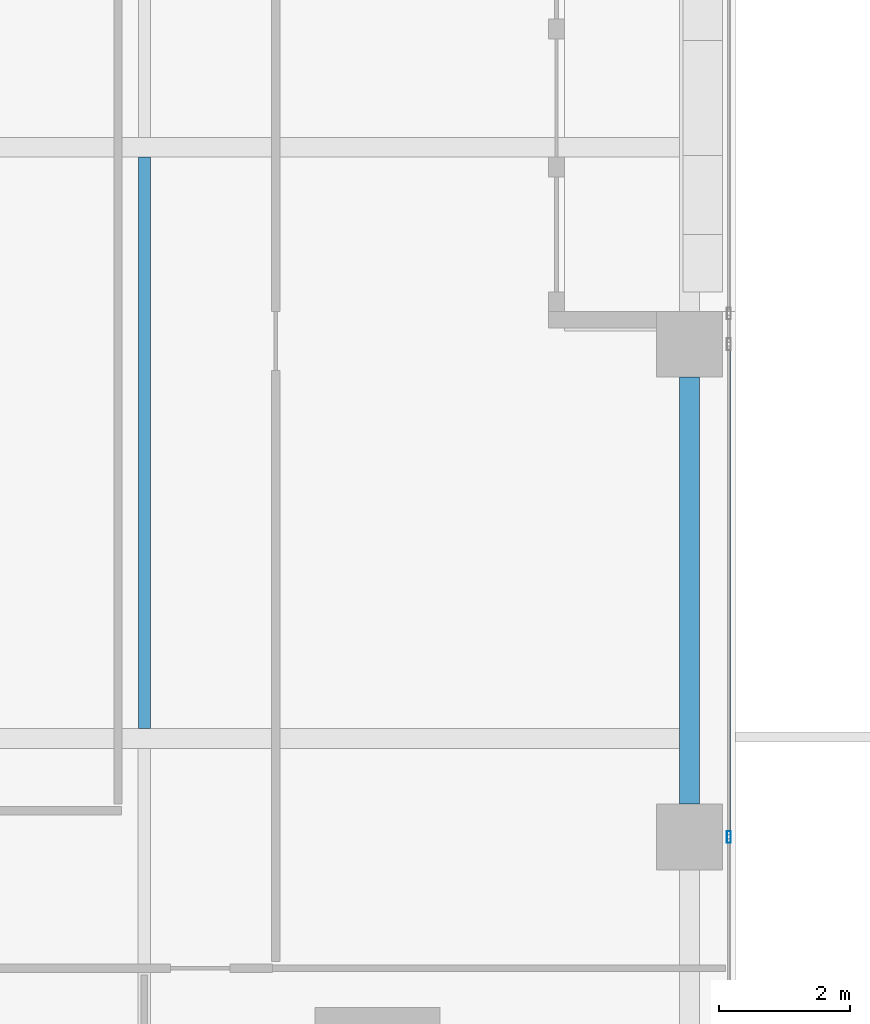
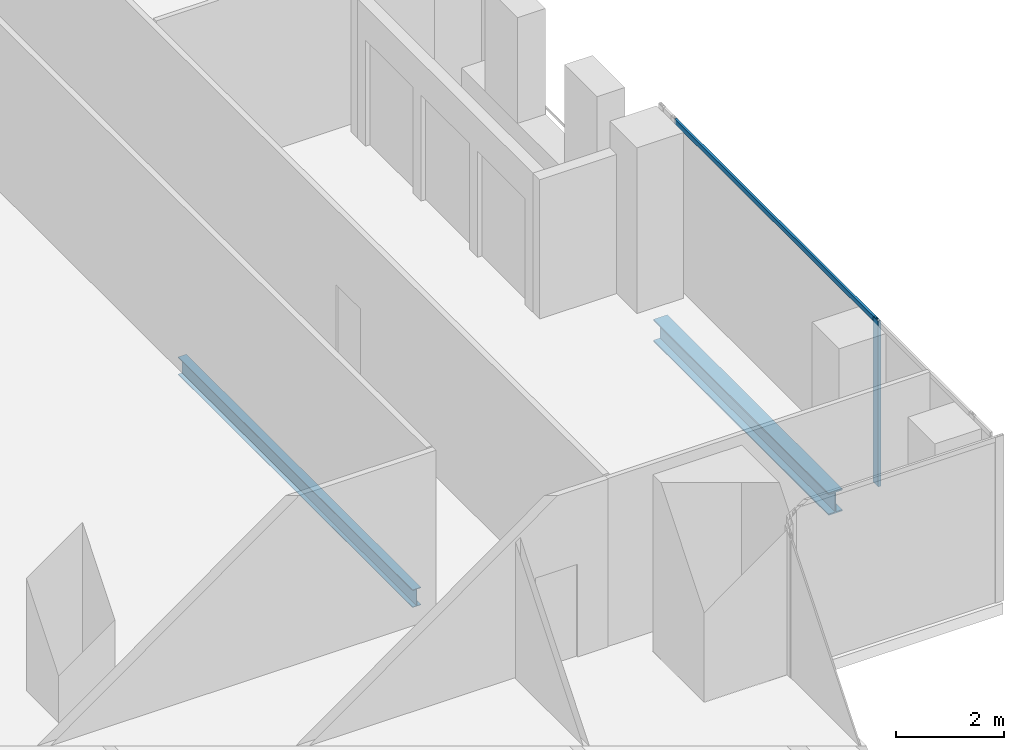
# One storey, part 12 of 40: 2 beams, 2 members, 1 element without a shape of its own.
"""IFC4 building model written with IfcOpenShell, lengths in metres."""

from ifc_helpers import new_model, si_unit, direction, frame, origin, origin_2d, place, context, subcontext, project, spatial, hollow_rectangle, i_section, extrude, source, transform, mapped, material, material_profile, profile_set, type_object, element, aggregate, save


model = new_model("IFC4")

# Units and contexts
model_context = context("Model", 3, precision=1e-05, world=origin(), true_north=direction((0.0, 1.0)))
body_context = subcontext(model_context, "Body", "Model", "MODEL_VIEW")
ifc_project = project(units=[si_unit("LENGTHUNIT", "METRE"), si_unit("AREAUNIT", "SQUARE_METRE"), si_unit("VOLUMEUNIT", "CUBIC_METRE"), si_unit("PLANEANGLEUNIT", "RADIAN"), si_unit("MASSUNIT", "GRAM", prefix="KILO")], contexts=[model_context])

# Site, building, storey
site_placement = place(None, origin())
site = spatial("IfcSite", under=ifc_project, at=site_placement, CompositionType="ELEMENT")
building_placement = place(site_placement, origin())
building = spatial("IfcBuilding", under=site, at=building_placement, Name="Khomas Fold Tower", CompositionType="ELEMENT")
storey_placement = place(building_placement, frame((0.0, 0.0, 204.699951171875)))
storey = spatial("IfcBuildingStorey", under=building, at=storey_placement, Name="L45", CompositionType="ELEMENT", Elevation=204.699951171875)

# Beams
ifc_material_1 = material(Name="Steel S355", Category="steel")
ifc_material_profile_1 = material_profile(ifc_material_1, i_section(OverallWidth=0.179931640625, OverallDepth=0.39990234375, WebThickness=0.008544921875, FlangeThickness=0.013427734375, at=origin_2d()), Name="IPE 400")
ifc_profile_set_1 = profile_set([ifc_material_profile_1], Name="Steel S355")
beam_type_1 = type_object("IfcBeamType", Name="IPE 400 beam JB3", PredefinedType="BEAM", material=ifc_profile_set_1)
shared_shape_1 = source(origin(), body_context, "Body", "SweptSolid", [
    extrude(i_section(OverallWidth=0.179931640625, OverallDepth=0.39990234375, WebThickness=0.008544921875, FlangeThickness=0.013427734375, at=origin_2d()), origin(), (0.0, 0.0, 1.0), 8.7001953125),
])
beam_1_placement = place(storey_placement, frame((42.0, 13.64990234375, -0.449951171875), z_axis=(0.0, 1.0, 0.0), x_axis=(-1.0, 0.0, 0.0)))
element("IfcBeam", 1, at=beam_1_placement, inside=storey, type_object=beam_type_1, Name="JB3", PredefinedType="BEAM", context=body_context, shape_type="MappedRepresentation", body=[
    mapped(shared_shape_1, transform((0.0, 0.0, 0.0))),
])
ifc_material_2 = material(Name="Steel S355", Category="steel")
ifc_material_profile_2 = material_profile(ifc_material_2, i_section(OverallWidth=0.300048828125, OverallDepth=0.5, WebThickness=0.014404296875, FlangeThickness=0.028076171875, at=origin_2d()), Name="HE 500 B")
ifc_profile_set_2 = profile_set([ifc_material_profile_2], Name="Steel S355")
beam_type_2 = type_object("IfcBeamType", Name="HE 500 B spandrel SB3", PredefinedType="SPANDREL", material=ifc_profile_set_2)
shared_shape_2 = source(origin(), body_context, "Body", "SweptSolid", [
    extrude(i_section(OverallWidth=0.300048828125, OverallDepth=0.5, WebThickness=0.014404296875, FlangeThickness=0.028076171875, at=origin_2d()), origin(), (0.0, 0.0, 1.0), 6.5),
])
beam_2_placement = place(storey_placement, frame((50.300048828125, 12.5, -0.5), z_axis=(0.0, 1.0, 0.0), x_axis=(-1.0, 0.0, 0.0)))
element("IfcBeam", 2, at=beam_2_placement, inside=storey, type_object=beam_type_2, Name="SB3", PredefinedType="SPANDREL", context=body_context, shape_type="MappedRepresentation", body=[
    mapped(shared_shape_2, transform((0.0, 0.0, 0.0))),
])

# Curtain wall, members
ifc_material_3 = material(Name="Aluminium framed double glazing", Category="aluminium")
curtain_wall_type = type_object("IfcCurtainWallType", Name="SK-Unitised clear-glass wall, office floors CW2", PredefinedType="NOTDEFINED", material=ifc_material_3)
curtain_wall_placement = place(storey_placement, origin())
curtain_wall = element("IfcCurtainWall", 3, at=curtain_wall_placement, inside=storey, type_object=curtain_wall_type, Name="CW2 run L45 03-0", PredefinedType="NOTDEFINED")
ifc_material_4 = material(Name="Aluminium", Category="aluminium")
ifc_material_profile_3 = material_profile(ifc_material_4, hollow_rectangle(XDim=0.06005859375, YDim=0.179931640625, WallThickness=0.00390625, at=origin_2d()), Name="SK-Unitised clear-glass wall, office floors mullion CW2-M")
ifc_profile_set_3 = profile_set([ifc_material_profile_3], Name="Aluminium")
member_type_1 = type_object("IfcMemberType", Name="SK-Unitised clear-glass wall, office floors mullion CW2-M", PredefinedType="MULLION", material=ifc_profile_set_3)
shared_shape_3 = source(origin(), body_context, "Body", "SweptSolid", [
    extrude(hollow_rectangle(XDim=0.06005859375, YDim=0.179931640625, WallThickness=0.00390625, at=origin_2d()), origin(), (0.0, 0.0, 1.0), 3.75),
])
member_1_placement = place(storey_placement, frame((50.89990234375, 12.0, 0.0), z_axis=(0.0, 0.0, 1.0), x_axis=(-1.0, 0.0, 0.0)))
member_1 = element("IfcMember", 4, at=member_1_placement, type_object=member_type_1, Name="CW2 mullion 3", PredefinedType="MULLION", context=body_context, shape_type="MappedRepresentation", body=[
    mapped(shared_shape_3, transform((0.0, 0.0, 0.0))),
])
ifc_material_5 = material(Name="Aluminium", Category="aluminium")
ifc_material_profile_4 = material_profile(ifc_material_5, hollow_rectangle(XDim=0.050048828125, YDim=0.110107421875, WallThickness=0.00390625, at=origin_2d()), Name="SK-Unitised clear-glass wall, office floors transom CW2-T")
ifc_profile_set_4 = profile_set([ifc_material_profile_4], Name="Aluminium")
member_type_2 = type_object("IfcMemberType", Name="SK-Unitised clear-glass wall, office floors transom CW2-T", PredefinedType="USERDEFINED", material=ifc_profile_set_4)
shared_shape_4 = source(origin(), body_context, "Body", "SweptSolid", [
    extrude(hollow_rectangle(XDim=0.050048828125, YDim=0.110107421875, WallThickness=0.00390625, at=origin_2d()), origin(), (0.0, 0.0, 1.0), 7.43994140625),
])
member_2_placement = place(storey_placement, frame((50.89990234375, 12.030029296875, 3.695068359375), z_axis=(0.0, 1.0, 0.0), x_axis=(-1.0, 0.0, 0.0)))
member_2 = element("IfcMember", 5, at=member_2_placement, type_object=member_type_2, Name="CW2 transom 3", ObjectType="TRANSOM", PredefinedType="USERDEFINED", context=body_context, shape_type="MappedRepresentation", body=[
    mapped(shared_shape_4, transform((0.0, 0.0, 0.0))),
])
aggregate(curtain_wall, [member_1, member_2])

save(model, "model.ifc")
